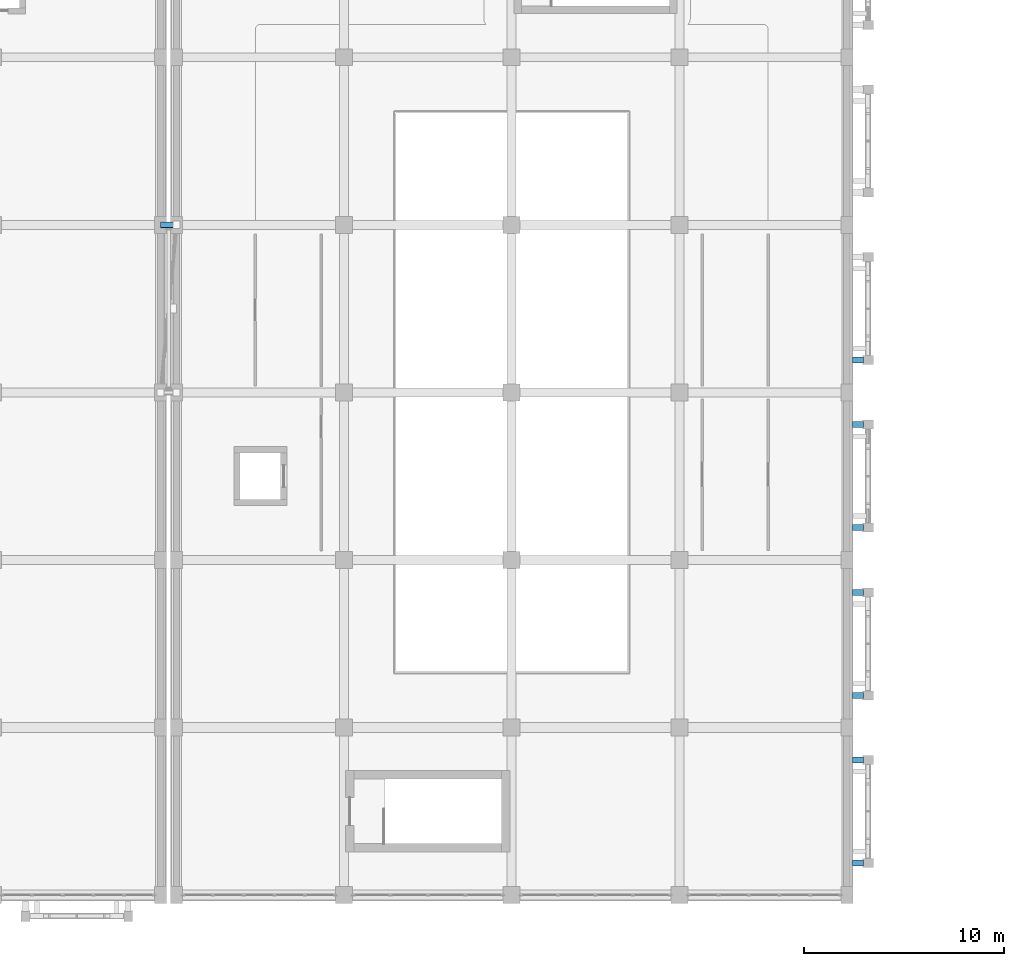
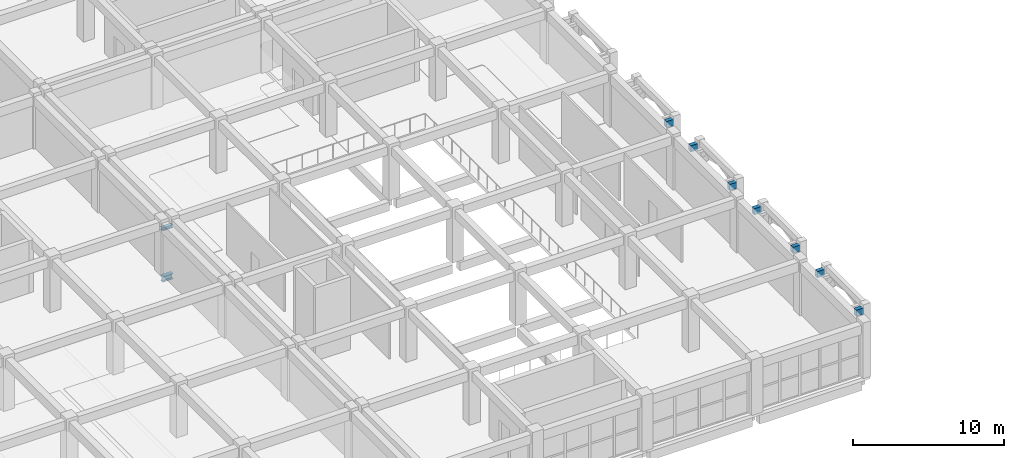
# One storey, part 75 of 129: 9 beams.
"""IFC4 building model written with IfcOpenShell, lengths in metres."""

from ifc_helpers import new_model, si_unit, direction, frame, origin, origin_2d, place, context, subcontext, project, spatial, rectangle, i_section, extrude, material, material_profile, profile_set, type_object, element, save


model = new_model("IFC4")

# Units and contexts
model_context = context("Model", 3, precision=1e-05, world=origin(), true_north=direction((0.0, 1.0)))
body_context = subcontext(model_context, "Body", "Model", "MODEL_VIEW")
ifc_project = project(units=[si_unit("LENGTHUNIT", "METRE"), si_unit("AREAUNIT", "SQUARE_METRE"), si_unit("VOLUMEUNIT", "CUBIC_METRE"), si_unit("PLANEANGLEUNIT", "RADIAN"), si_unit("MASSUNIT", "GRAM", prefix="KILO")], contexts=[model_context])

# Site, building, storey
site_placement = place(None, origin())
site = spatial("IfcSite", under=ifc_project, at=site_placement, CompositionType="ELEMENT")
building_placement = place(site_placement, origin())
building = spatial("IfcBuilding", under=site, at=building_placement, Name="Xazarin Passage Department Store", CompositionType="ELEMENT")
storey_placement = place(building_placement, frame((0.0, 0.0, 9.89990234375)))
storey = spatial("IfcBuildingStorey", under=building, at=storey_placement, Name="L02", CompositionType="ELEMENT", Elevation=9.89990234375)

# Beams
ifc_material_1 = material(Name="Steel S355", Category="steel")
ifc_material_profile_1 = material_profile(ifc_material_1, i_section(OverallWidth=0.300048828125, OverallDepth=0.449951171875, WebThickness=0.013916015625, FlangeThickness=0.02587890625, FilletRadius=0.027099609375, at=origin_2d()), Name="HEB 450")
ifc_profile_set_1 = profile_set([ifc_material_profile_1], Name="Steel S355")
beam_type_1 = type_object("IfcBeamType", Name="STR-BM-BR450", PredefinedType="BEAM", material=ifc_profile_set_1)
beam_1_placement = place(storey_placement, frame((67.199951171875, 33.60009765625, -0.56494140625), z_axis=(1.0, 0.0, 0.0), x_axis=(0.0, 1.0, 0.0)))
element("IfcBeam", 1, at=beam_1_placement, inside=storey, type_object=beam_type_1, Name="L02 BR-V2S-V3 Bridge Girder B", PredefinedType="BEAM", context=body_context, shape_type="SweptSolid", body=[
    extrude(i_section(OverallWidth=0.300048828125, OverallDepth=0.449951171875, WebThickness=0.013916015625, FlangeThickness=0.02587890625, FilletRadius=0.027099609375, at=origin_2d()), origin(), (0.0, 0.0, 1.0), 0.800048828125),
])
ifc_material_profile_2 = material_profile(ifc_material_1, i_section(OverallWidth=0.260009765625, OverallDepth=0.25, WebThickness=0.007568359375, FlangeThickness=0.012451171875, FilletRadius=0.02392578125, at=origin_2d()), Name="HEA 260")
ifc_profile_set_2 = profile_set([ifc_material_profile_2], Name="Steel S355")
beam_type_2 = type_object("IfcBeamType", Name="STR-BM-CAN260", PredefinedType="BEAM", material=ifc_profile_set_2)
beam_2_placement = place(storey_placement, frame((67.199951171875, 33.60009765625, 3.47509765625), z_axis=(1.0, 0.0, 0.0), x_axis=(0.0, 1.0, 0.0)))
element("IfcBeam", 2, at=beam_2_placement, inside=storey, type_object=beam_type_2, Name="L02 BR-V2S-V3 Bridge Roof Beam B", PredefinedType="BEAM", context=body_context, shape_type="SweptSolid", body=[
    extrude(i_section(OverallWidth=0.260009765625, OverallDepth=0.25, WebThickness=0.007568359375, FlangeThickness=0.012451171875, FilletRadius=0.02392578125, at=origin_2d()), origin(), (0.0, 0.0, 1.0), 0.800048828125),
])
ifc_material_2 = material(Name="Concrete C35/45", Category="concrete")
ifc_material_profile_3 = material_profile(ifc_material_2, rectangle(XDim=0.300048828125, YDim=0.5, at=origin_2d()), Name="RC 300x500")
ifc_profile_set_3 = profile_set([ifc_material_profile_3], Name="Concrete C35/45")
beam_type_3 = type_object("IfcBeamType", Name="STR-BM-LN300x500", PredefinedType="LINTEL", material=ifc_profile_set_3)
for number, where, z_axis, x_axis, name in (
    (3, (101.8798828125, 1.6201171875, 3.9501953125), (1.0, 0.0, 0.0), (0.0, 1.0, 0.0), "L02 V2S Colonnade Tie Rib 018L"),
    (4, (101.8798828125, 6.780029296875, 3.9501953125), (1.0, 0.0, 0.0), (0.0, 1.0, 0.0), "L02 V2S Colonnade Tie Rib 018R"),
    (5, (101.8798828125, 10.02001953125, 3.9501953125), (1.0, 0.0, 0.0), (0.0, 1.0, 0.0), "L02 V2S Colonnade Tie Rib 019L"),
    (6, (101.8798828125, 15.179931640625, 3.9501953125), (1.0, 0.0, 0.0), (0.0, 1.0, 0.0), "L02 V2S Colonnade Tie Rib 019R"),
    (7, (101.8798828125, 18.419921875, 3.9501953125), (1.0, 0.0, 0.0), (0.0, 1.0, 0.0), "L02 V2S Colonnade Tie Rib 020L"),
    (8, (101.8798828125, 23.580078125, 3.9501953125), (1.0, 0.0, 0.0), (0.0, 1.0, 0.0), "L02 V2S Colonnade Tie Rib 020R"),
    (9, (101.8798828125, 26.820068359375, 3.9501953125), (1.0, 0.0, 0.0), (0.0, 1.0, 0.0), "L02 V2S Colonnade Tie Rib 021L"),
):
    element("IfcBeam", number, at=place(storey_placement, frame(where, z_axis=z_axis, x_axis=x_axis)), inside=storey, type_object=beam_type_3, Name=name, PredefinedType="LINTEL", context=body_context, shape_type="SweptSolid", body=[
        extrude(rectangle(XDim=0.300048828125, YDim=0.5, at=origin_2d()), origin(), (0.0, 0.0, 1.0), 0.550048828125),
    ])

save(model, "model.ifc")
